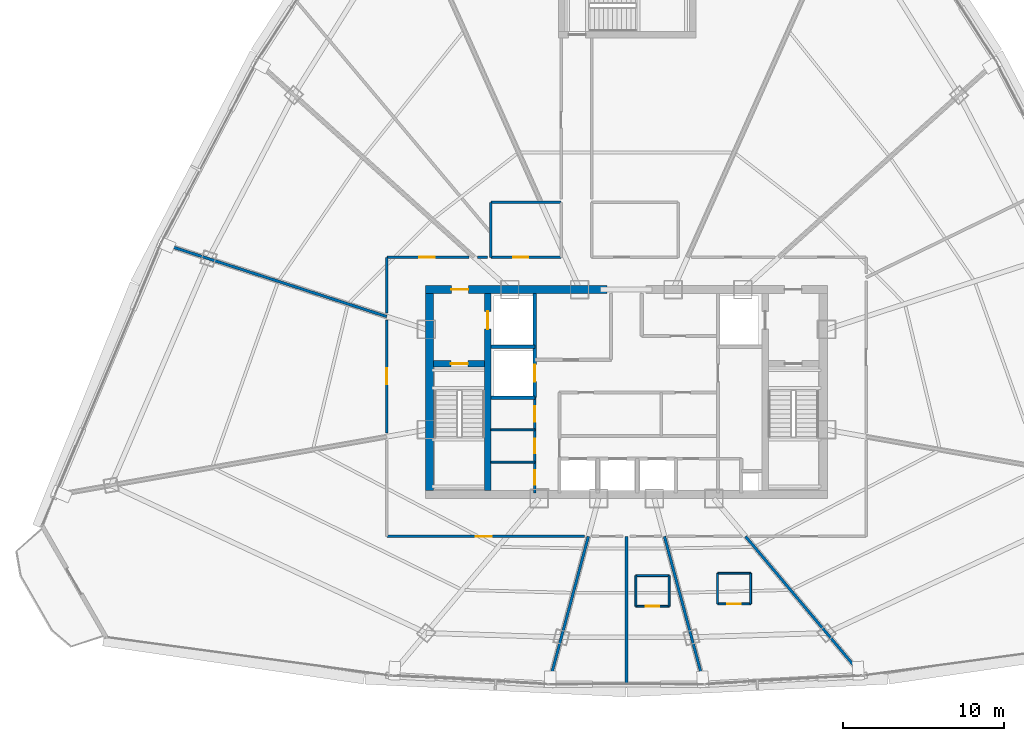
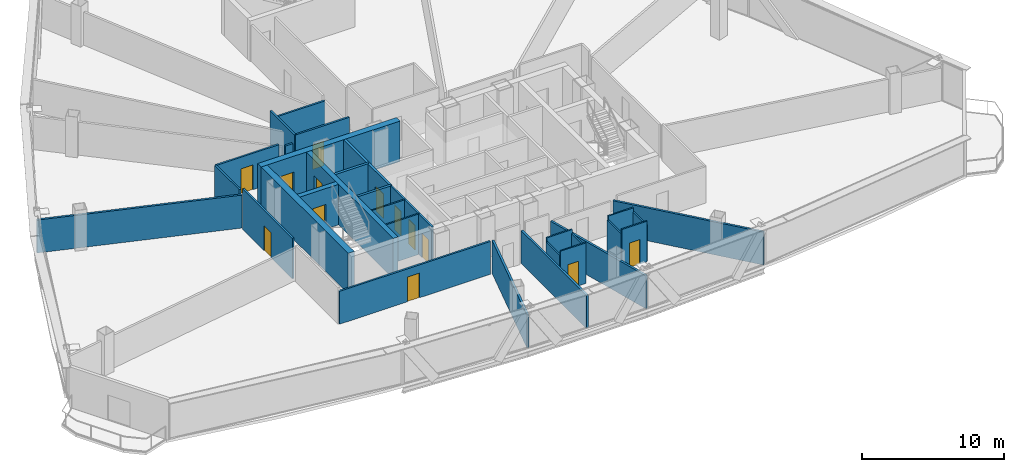
# One storey, part 28 of 35: 31 walls, 13 doors, 13 openings.
"""IFC4 building model written with IfcOpenShell, lengths in metres."""

from ifc_helpers import new_model, si_unit, direction, frame, frame_2d, origin, origin_with_axes, place, context, subcontext, project, spatial, rectangle, extrude, source, transform, mapped, material, layer, layer_set, type_object, element, fill, save


model = new_model("IFC4")

# Units and contexts
model_context = context("Model", 3, precision=1e-05, world=origin(), true_north=direction((0.0, 1.0)))
body_context = subcontext(model_context, "Body", "Model", "MODEL_VIEW")
ifc_project = project(units=[si_unit("LENGTHUNIT", "METRE"), si_unit("AREAUNIT", "SQUARE_METRE"), si_unit("VOLUMEUNIT", "CUBIC_METRE"), si_unit("PLANEANGLEUNIT", "RADIAN"), si_unit("MASSUNIT", "GRAM", prefix="KILO"), si_unit("THERMODYNAMICTEMPERATUREUNIT", "KELVIN"), si_unit("POWERUNIT", "WATT")], contexts=[model_context])

# Site, building, storey
site_placement = place(None, origin())
site = spatial("IfcSite", under=ifc_project, at=site_placement, CompositionType="ELEMENT")
building_placement = place(site_placement, origin())
building = spatial("IfcBuilding", under=site, at=building_placement, Name="Yunzhuo Pagoda Commons", CompositionType="ELEMENT")
storey_placement = place(building_placement, frame((0.0, 0.0, 237.070068359375)))
storey = spatial("IfcBuildingStorey", under=building, at=storey_placement, Name="L59", CompositionType="ELEMENT", Elevation=237.070068359375)

# Wall, opening, door
ifc_material_1 = material(Name="Concrete C50", Category="concrete")
ifc_layer_1 = layer(ifc_material_1, 0.5)
ifc_layer_set_1 = layer_set([ifc_layer_1], Name="Concrete C50")
wall_type_1 = type_object("IfcWallType", Name="W-C03 Upper Core Shear Wall 500", PredefinedType="SHEAR", material=ifc_layer_set_1)
wall_1_placement = place(storey_placement, frame((35.550048828125, 40.199951171875, 0.0), z_axis=(0.0, 0.0, 1.0), x_axis=(1.0, 0.0, 0.0)))
wall_1 = element("IfcWall", 1, at=wall_1_placement, inside=storey, type_object=wall_type_1, Name="L59 core shear wall NW", PredefinedType="SHEAR", context=body_context, shape_type="SweptSolid", body=[
    extrude(rectangle(XDim=11.25, YDim=0.5, at=frame_2d((5.625, 0.0))), origin(), (0.0, 0.0, 1.0), 3.469970703125),
])
opening_1_placement = place(wall_1_placement, frame((1.60009765625, 0.0, 0.0)))
opening_1 = element("IfcOpeningElement", 2, at=opening_1_placement, cuts=wall_1, Name="Opening D-02", PredefinedType="OPENING", context=body_context, shape_type="SweptSolid", body=[
    extrude(rectangle(XDim=1.050048828125, YDim=2.10009765625, at=frame_2d((0.52490234375, 1.050048828125))), frame((0.0, 0.260009765625, 0.0), z_axis=(0.0, -1.0, 0.0), x_axis=(1.0, 0.0, 0.0)), (0.0, 0.0, 1.0), 0.52001953125),
])
ifc_material_2 = material(Name="Galvanized fire-resisting metal leaf")
door_type_1 = type_object("IfcDoorType", Name="D-02 Firefighting Lobby & Refuge Fire Door 1050x2100", OperationType="NOTDEFINED", PredefinedType="DOOR", material=ifc_material_2)
shared_shape_1 = source(origin(), body_context, "Body", "SweptSolid", [
    extrude(rectangle(XDim=1.050048828125, YDim=2.10009765625, at=frame_2d((0.52490234375, 1.050048828125))), frame((0.0, 0.02490234375, 0.0), z_axis=(0.0, -1.0, 0.0), x_axis=(1.0, 0.0, 0.0)), (0.0, 0.0, 1.0), 0.050048828125),
])
door_1_placement = place(opening_1_placement, frame((1.050048828125, 0.0, 0.0), z_axis=(0.0, 0.0, 1.0), x_axis=(-1.0, 0.0, 0.0)))
door_1 = element("IfcDoor", 3, at=door_1_placement, inside=storey, type_object=door_type_1, Name="L59 Firefighting Lobby 1 fire door", OperationType="SINGLE_SWING_LEFT", OverallHeight=2.10009765625, OverallWidth=1.050048828125, PredefinedType="DOOR", context=body_context, shape_type="MappedRepresentation", body=[
    mapped(shared_shape_1, transform((0.0, 0.0, 0.0), scale=1.0)),
])
fill(opening_1, door_1)

# Wall
wall_2_placement = place(storey_placement, frame((35.800048828125, 27.75, 0.0), z_axis=(0.0, 0.0, 1.0), x_axis=(0.0, 1.0, 0.0)))
element("IfcWall", 4, at=wall_2_placement, inside=storey, type_object=wall_type_1, Name="L59 core shear wall W", PredefinedType="SHEAR", context=body_context, shape_type="SweptSolid", body=[
    extrude(rectangle(XDim=12.199951171875, YDim=0.5, at=frame_2d((6.10009765625, 0.0))), origin(), (0.0, 0.0, 1.0), 3.469970703125),
])

# Wall, openings, doors
ifc_material_3 = material(Name="Gypsum plasterboard on acoustic stud")
ifc_layer_2 = layer(ifc_material_3, 0.14990234375)
ifc_layer_set_2 = layer_set([ifc_layer_2], Name="Gypsum plasterboard on acoustic stud")
wall_type_2 = type_object("IfcWallType", Name="W-COR3 High-Zone Rated Corridor Wall 150", PredefinedType="PARTITIONING", material=ifc_layer_set_2)
wall_3_placement = place(storey_placement, frame((42.320068359375, 27.60009765625, 0.0), z_axis=(0.0, 0.0, 1.0), x_axis=(0.0, 1.0, 0.0)))
wall_3 = element("IfcWall", 5, at=wall_3_placement, inside=storey, type_object=wall_type_2, Name="L59 interior wall IW-L59-CSWE", PredefinedType="PARTITIONING", context=body_context, shape_type="SweptSolid", body=[
    extrude(rectangle(XDim=5.89990234375, YDim=0.14990234375, at=frame_2d((2.949951171875, 0.0))), origin(), (0.0, 0.0, 1.0), 3.469970703125),
])
opening_2_placement = place(wall_3_placement, frame((0.5, 0.0, 0.0)))
opening_2 = element("IfcOpeningElement", 6, at=opening_2_placement, cuts=wall_3, Name="Opening D-03", PredefinedType="OPENING", context=body_context, shape_type="SweptSolid", body=[
    extrude(rectangle(XDim=0.89990234375, YDim=2.10009765625, at=frame_2d((0.449951171875, 1.050048828125))), frame((0.0, 0.0849609375, 0.0), z_axis=(0.0, -1.0, 0.0), x_axis=(1.0, 0.0, 0.0)), (0.0, 0.0, 1.0), 0.169921875),
])
opening_3_placement = place(wall_3_placement, frame((2.449951171875, 0.0, 0.0)))
opening_3 = element("IfcOpeningElement", 7, at=opening_3_placement, cuts=wall_3, Name="Opening D-03", PredefinedType="OPENING", context=body_context, shape_type="SweptSolid", body=[
    extrude(rectangle(XDim=0.89990234375, YDim=2.10009765625, at=frame_2d((0.449951171875, 1.050048828125))), frame((0.0, 0.0849609375, 0.0), z_axis=(0.0, -1.0, 0.0), x_axis=(1.0, 0.0, 0.0)), (0.0, 0.0, 1.0), 0.169921875),
])
opening_4_placement = place(wall_3_placement, frame((4.419921875, 0.0, 0.0)))
opening_4 = element("IfcOpeningElement", 8, at=opening_4_placement, cuts=wall_3, Name="Opening D-11", PredefinedType="OPENING", context=body_context, shape_type="SweptSolid", body=[
    extrude(rectangle(XDim=0.93994140625, YDim=2.10009765625, at=frame_2d((0.469970703125, 1.050048828125))), frame((0.0, 0.0849609375, 0.0), z_axis=(0.0, -1.0, 0.0), x_axis=(1.0, 0.0, 0.0)), (0.0, 0.0, 1.0), 0.169921875),
])
door_type_2 = type_object("IfcDoorType", Name="D-03 Core Service Fire Door 900x2100", OperationType="NOTDEFINED", PredefinedType="DOOR", material=ifc_material_2)
shared_shape_2 = source(origin(), body_context, "Body", "SweptSolid", [
    extrude(rectangle(XDim=0.89990234375, YDim=2.10009765625, at=frame_2d((0.449951171875, 1.050048828125))), frame((0.0, 0.02490234375, 0.0), z_axis=(0.0, -1.0, 0.0), x_axis=(1.0, 0.0, 0.0)), (0.0, 0.0, 1.0), 0.050048828125),
])
door_2_placement = place(opening_2_placement, origin_with_axes())
door_2 = element("IfcDoor", 9, at=door_2_placement, inside=storey, type_object=door_type_2, Name="L59 switch door", OperationType="SINGLE_SWING_RIGHT", OverallHeight=2.10009765625, OverallWidth=0.89990234375, PredefinedType="DOOR", context=body_context, shape_type="MappedRepresentation", body=[
    mapped(shared_shape_2, transform((0.0, 0.0, 0.0), scale=1.0)),
])
fill(opening_2, door_2)
door_3_placement = place(opening_3_placement, origin_with_axes())
door_3 = element("IfcDoor", 10, at=door_3_placement, inside=storey, type_object=door_type_2, Name="L59 cleaner door", OperationType="SINGLE_SWING_RIGHT", OverallHeight=2.10009765625, OverallWidth=0.89990234375, PredefinedType="DOOR", context=body_context, shape_type="MappedRepresentation", body=[
    mapped(shared_shape_2, transform((0.0, 0.0, 0.0), scale=1.0)),
])
fill(opening_3, door_3)
door_type_3 = type_object("IfcDoorType", Name="D-11 Accessible Washroom Fire Door 940x2100", OperationType="NOTDEFINED", PredefinedType="DOOR", material=ifc_material_2)
shared_shape_3 = source(origin(), body_context, "Body", "SweptSolid", [
    extrude(rectangle(XDim=0.93994140625, YDim=2.10009765625, at=frame_2d((0.469970703125, 1.050048828125))), frame((0.0, 0.02490234375, 0.0), z_axis=(0.0, -1.0, 0.0), x_axis=(1.0, 0.0, 0.0)), (0.0, 0.0, 1.0), 0.050048828125),
])
door_4_placement = place(opening_4_placement, origin_with_axes())
door_4 = element("IfcDoor", 11, at=door_4_placement, inside=storey, type_object=door_type_3, Name="L59 core WC door", OperationType="SINGLE_SWING_LEFT", OverallHeight=2.10009765625, OverallWidth=0.93994140625, PredefinedType="DOOR", context=body_context, shape_type="MappedRepresentation", body=[
    mapped(shared_shape_3, transform((0.0, 0.0, 0.0), scale=1.0)),
])
fill(opening_4, door_4)

# Wall, opening, door
wall_4_placement = place(storey_placement, frame((39.60009765625, 42.199951171875, 0.0), z_axis=(0.0, 0.0, 1.0), x_axis=(1.0, 0.0, 0.0)))
wall_4 = element("IfcWall", 12, at=wall_4_placement, inside=storey, type_object=wall_type_2, Name="L59 interior wall IW-L59-TFWS", PredefinedType="PARTITIONING", context=body_context, shape_type="SweptSolid", body=[
    extrude(rectangle(XDim=4.349853515625, YDim=0.14990234375, at=frame_2d((2.1748046875, 0.0))), origin(), (0.0, 0.0, 1.0), 3.469970703125),
])
opening_5_placement = place(wall_4_placement, frame((1.39990234375, 0.0, 0.0)))
opening_5 = element("IfcOpeningElement", 13, at=opening_5_placement, cuts=wall_4, Name="Opening D-04", PredefinedType="OPENING", context=body_context, shape_type="SweptSolid", body=[
    extrude(rectangle(XDim=0.919921875, YDim=2.10009765625, at=frame_2d((0.4599609375, 1.050048828125))), frame((0.0, 0.0849609375, 0.0), z_axis=(0.0, -1.0, 0.0), x_axis=(1.0, 0.0, 0.0)), (0.0, 0.0, 1.0), 0.169921875),
])
ifc_material_4 = material(Name="Powder-coated aluminium and timber acoustic leaf", Category="wood")
door_type_4 = type_object("IfcDoorType", Name="D-04 Bedroom & Study Interior Door 920x2100", OperationType="NOTDEFINED", PredefinedType="DOOR", material=ifc_material_4)
shared_shape_4 = source(origin(), body_context, "Body", "SweptSolid", [
    extrude(rectangle(XDim=0.919921875, YDim=2.10009765625, at=frame_2d((0.4599609375, 1.050048828125))), frame((0.0, 0.02490234375, 0.0), z_axis=(0.0, -1.0, 0.0), x_axis=(1.0, 0.0, 0.0)), (0.0, 0.0, 1.0), 0.050048828125),
])
door_5_placement = place(opening_5_placement, frame((0.919921875, 0.0, 0.0), z_axis=(0.0, 0.0, 1.0), x_axis=(-1.0, 0.0, 0.0)))
door_5 = element("IfcDoor", 14, at=door_5_placement, inside=storey, type_object=door_type_4, Name="L59 laundry door", OperationType="SINGLE_SWING_LEFT", OverallHeight=2.10009765625, OverallWidth=0.919921875, PredefinedType="DOOR", context=body_context, shape_type="MappedRepresentation", body=[
    mapped(shared_shape_4, transform((0.0, 0.0, 0.0), scale=1.0)),
])
fill(opening_5, door_5)

# Walls
wall_5_placement = place(storey_placement, frame((39.60009765625, 45.60009765625, 0.0), z_axis=(0.0, 0.0, 1.0), x_axis=(1.0, 0.0, 0.0)))
element("IfcWall", 15, at=wall_5_placement, inside=storey, type_object=wall_type_2, Name="L59 interior wall IW-L59-TFWN", PredefinedType="PARTITIONING", context=body_context, shape_type="SweptSolid", body=[
    extrude(rectangle(XDim=4.349853515625, YDim=0.14990234375, at=frame_2d((2.1748046875, 0.0))), origin(), (0.0, 0.0, 1.0), 2.81982421875),
])
wall_6_placement = place(storey_placement, frame((39.60009765625, 42.199951171875, 0.0), z_axis=(0.0, 0.0, 1.0), x_axis=(0.0, 1.0, 0.0)))
element("IfcWall", 16, at=wall_6_placement, inside=storey, type_object=wall_type_2, Name="L59 interior wall IW-L59-TFWW", PredefinedType="PARTITIONING", context=body_context, shape_type="SweptSolid", body=[
    extrude(rectangle(XDim=3.400146484375, YDim=0.14990234375, at=frame_2d((1.7001953125, 0.0))), origin(), (0.0, 0.0, 1.0), 3.469970703125),
])

# Wall, opening, door
wall_7_placement = place(storey_placement, frame((33.14990234375, 31.30126953125, 0.0), z_axis=(0.0, 0.0, 1.0), x_axis=(0.0, 1.0, 0.0)))
wall_7 = element("IfcWall", 17, at=wall_7_placement, inside=storey, type_object=wall_type_2, Name="L59 interior wall IW-L59-CWL02", PredefinedType="PARTITIONING", context=body_context, shape_type="SweptSolid", body=[
    extrude(rectangle(XDim=7.004150390625, YDim=0.14990234375, at=frame_2d((3.501953125, 0.0))), origin(), (0.0, 0.0, 1.0), 3.469970703125),
])
opening_6_placement = place(wall_7_placement, frame((3.027099609375, 0.0, 0.0)))
opening_6 = element("IfcOpeningElement", 18, at=opening_6_placement, cuts=wall_7, Name="Opening D-08", PredefinedType="OPENING", context=body_context, shape_type="SweptSolid", body=[
    extrude(rectangle(XDim=0.97998046875, YDim=2.1201171875, at=frame_2d((0.489990234375, 1.06005859375))), frame((0.0, 0.0849609375, 0.0), z_axis=(0.0, -1.0, 0.0), x_axis=(1.0, 0.0, 0.0)), (0.0, 0.0, 1.0), 0.169921875),
])
door_type_5 = type_object("IfcDoorType", Name="D-08 High-Zone Suite Entrance Fire Door 980x2120", OperationType="NOTDEFINED", PredefinedType="DOOR", material=ifc_material_2)
shared_shape_5 = source(origin(), body_context, "Body", "SweptSolid", [
    extrude(rectangle(XDim=0.97998046875, YDim=2.1201171875, at=frame_2d((0.489990234375, 1.06005859375))), frame((0.0, 0.02490234375, 0.0), z_axis=(0.0, -1.0, 0.0), x_axis=(1.0, 0.0, 0.0)), (0.0, 0.0, 1.0), 0.050048828125),
])
door_6_placement = place(opening_6_placement, origin_with_axes())
door_6 = element("IfcDoor", 19, at=door_6_placement, inside=storey, type_object=door_type_5, Name="L59 unit 08 entrance door", OperationType="SINGLE_SWING_RIGHT", OverallHeight=2.1201171875, OverallWidth=0.97998046875, PredefinedType="DOOR", context=body_context, shape_type="MappedRepresentation", body=[
    mapped(shared_shape_5, transform((0.0, 0.0, 0.0), scale=1.0)),
])
fill(opening_6, door_6)

# Wall
wall_8_placement = place(storey_placement, frame((33.14990234375, 38.75634765625, 0.0), z_axis=(0.0, 0.0, 1.0), x_axis=(0.0, 1.0, 0.0)))
element("IfcWall", 20, at=wall_8_placement, inside=storey, type_object=wall_type_2, Name="L59 interior wall IW-L59-CWL03", PredefinedType="PARTITIONING", context=body_context, shape_type="SweptSolid", body=[
    extrude(rectangle(XDim=3.443603515625, YDim=0.14990234375, at=frame_2d((1.7216796875, 0.0))), origin(), (0.0, 0.0, 1.0), 3.119873046875),
])

# Wall, opening, door
wall_9_placement = place(storey_placement, frame((33.14990234375, 42.199951171875, 0.0), z_axis=(0.0, 0.0, 1.0), x_axis=(1.0, 0.0, 0.0)))
wall_9 = element("IfcWall", 21, at=wall_9_placement, inside=storey, type_object=wall_type_2, Name="L59 interior wall IW-L59-CWL04", PredefinedType="PARTITIONING", context=body_context, shape_type="SweptSolid", body=[
    extrude(rectangle(XDim=5.0810546875, YDim=0.14990234375, at=frame_2d((2.54052734375, 0.0))), origin(), (0.0, 0.0, 1.0), 3.119873046875),
])
opening_7_placement = place(wall_9_placement, frame((2.0, 0.0, 0.0)))
opening_7 = element("IfcOpeningElement", 22, at=opening_7_placement, cuts=wall_9, Name="Opening D-08", PredefinedType="OPENING", context=body_context, shape_type="SweptSolid", body=[
    extrude(rectangle(XDim=0.97998046875, YDim=2.1201171875, at=frame_2d((0.489990234375, 1.06005859375))), frame((0.0, 0.0849609375, 0.0), z_axis=(0.0, -1.0, 0.0), x_axis=(1.0, 0.0, 0.0)), (0.0, 0.0, 1.0), 0.169921875),
])
door_7_placement = place(opening_7_placement, origin_with_axes())
door_7 = element("IfcDoor", 23, at=door_7_placement, inside=storey, type_object=door_type_5, Name="L59 unit 07 entrance door", OperationType="SINGLE_SWING_LEFT", OverallHeight=2.1201171875, OverallWidth=0.97998046875, PredefinedType="DOOR", context=body_context, shape_type="MappedRepresentation", body=[
    mapped(shared_shape_5, transform((0.0, 0.0, 0.0), scale=1.0)),
])
fill(opening_7, door_7)

# Wall
wall_10_placement = place(storey_placement, frame((38.779541015625, 42.199951171875, 0.0), z_axis=(0.0, 0.0, 1.0), x_axis=(1.0, 0.0, 0.0)))
element("IfcWall", 24, at=wall_10_placement, inside=storey, type_object=wall_type_2, Name="L59 interior wall IW-L59-CWL05", PredefinedType="PARTITIONING", context=body_context, shape_type="SweptSolid", body=[
    extrude(rectangle(XDim=0.600341796875, YDim=0.14990234375, at=frame_2d((0.30029296875, 0.0))), origin(), (0.0, 0.0, 1.0), 2.81982421875),
])

# Wall, opening, door
wall_11_placement = place(storey_placement, frame((45.414306640625, 24.89990234375, 0.0), z_axis=(0.0, 0.0, 1.0), x_axis=(-1.0, 0.0, 0.0)))
wall_11 = element("IfcWall", 25, at=wall_11_placement, inside=storey, type_object=wall_type_2, Name="L59 interior wall IW-L59-CWL17", PredefinedType="PARTITIONING", context=body_context, shape_type="SweptSolid", body=[
    extrude(rectangle(XDim=12.264404296875, YDim=0.14990234375, at=frame_2d((6.13232421875, 0.0))), origin(), (0.0, 0.0, 1.0), 2.81982421875),
])
opening_8_placement = place(wall_11_placement, frame((5.773193359375, 0.0, 0.0)))
opening_8 = element("IfcOpeningElement", 26, at=opening_8_placement, cuts=wall_11, Name="Opening D-08", PredefinedType="OPENING", context=body_context, shape_type="SweptSolid", body=[
    extrude(rectangle(XDim=0.97998046875, YDim=2.1201171875, at=frame_2d((0.489990234375, 1.06005859375))), frame((0.0, 0.0849609375, 0.0), z_axis=(0.0, -1.0, 0.0), x_axis=(1.0, 0.0, 0.0)), (0.0, 0.0, 1.0), 0.169921875),
])
door_8_placement = place(opening_8_placement, origin_with_axes())
door_8 = element("IfcDoor", 27, at=door_8_placement, inside=storey, type_object=door_type_5, Name="L59 Resident Co-Living Commons Hall door", OperationType="SINGLE_SWING_LEFT", OverallHeight=2.1201171875, OverallWidth=0.97998046875, PredefinedType="DOOR", context=body_context, shape_type="MappedRepresentation", body=[
    mapped(shared_shape_5, transform((0.0, 0.0, 0.0), scale=1.0)),
])
fill(opening_8, door_8)

# Walls
ifc_layer_3 = layer(ifc_material_3, 0.1201171875)
ifc_layer_set_3 = layer_set([ifc_layer_3], Name="Gypsum plasterboard on acoustic stud")
wall_type_3 = type_object("IfcWallType", Name="W-PRT1 Suite & Bathroom Partition 120", PredefinedType="PARTITIONING", material=ifc_layer_set_3)
for number, where, z_axis, x_axis, name in (
    (28, (39.60009765625, 29.5, 0.0), (0.0, 0.0, 1.0), (1.0, 0.0, 0.0), "L59 interior wall IW-L59-CC1"),
    (29, (39.60009765625, 31.5, 0.0), (0.0, 0.0, 1.0), (1.0, 0.0, 0.0), "L59 interior wall IW-L59-CC2"),
):
    element("IfcWall", number, at=place(storey_placement, frame(where, z_axis=z_axis, x_axis=x_axis)), inside=storey, type_object=wall_type_3, Name=name, PredefinedType="PARTITIONING", context=body_context, shape_type="SweptSolid", body=[
        extrude(rectangle(XDim=2.719970703125, YDim=0.1201171875, at=frame_2d((1.35986328125, 0.0))), origin(), (0.0, 0.0, 1.0), 3.469970703125),
    ])

# Wall, opening, door
wall_12_placement = place(storey_placement, frame((48.591064453125, 20.574951171875, 0.0), z_axis=(0.0, 0.0, 1.0), x_axis=(1.0, 0.0, 0.0)))
wall_12 = element("IfcWall", 30, at=wall_12_placement, inside=storey, type_object=wall_type_3, Name="L59 interior wall IW-L59-B11S", PredefinedType="PARTITIONING", context=body_context, shape_type="SweptSolid", body=[
    extrude(rectangle(XDim=2.050048828125, YDim=0.1201171875, at=frame_2d((1.02490234375, 0.0))), origin(), (0.0, 0.0, 1.0), 3.469970703125),
])
opening_9_placement = place(wall_12_placement, frame((0.60009765625, 0.0, 0.0)))
opening_9 = element("IfcOpeningElement", 31, at=opening_9_placement, cuts=wall_12, Name="Opening D-05", PredefinedType="OPENING", context=body_context, shape_type="SweptSolid", body=[
    extrude(rectangle(XDim=0.85009765625, YDim=2.10009765625, at=frame_2d((0.425048828125, 1.050048828125))), frame((0.0, 0.070068359375, 0.0), z_axis=(0.0, -1.0, 0.0), x_axis=(1.0, 0.0, 0.0)), (0.0, 0.0, 1.0), 0.14013671875),
])
door_type_6 = type_object("IfcDoorType", Name="D-05 En-Suite Bathroom Door 850x2100", OperationType="NOTDEFINED", PredefinedType="DOOR", material=ifc_material_4)
shared_shape_6 = source(origin(), body_context, "Body", "SweptSolid", [
    extrude(rectangle(XDim=0.85009765625, YDim=2.10009765625, at=frame_2d((0.425048828125, 1.050048828125))), frame((0.0, 0.02490234375, 0.0), z_axis=(0.0, -1.0, 0.0), x_axis=(1.0, 0.0, 0.0)), (0.0, 0.0, 1.0), 0.050048828125),
])
door_9_placement = place(opening_9_placement, frame((0.85009765625, 0.0, 0.0), z_axis=(0.0, 0.0, 1.0), x_axis=(-1.0, 0.0, 0.0)))
door_9 = element("IfcDoor", 32, at=door_9_placement, inside=storey, type_object=door_type_6, Name="L59 unit 11 bathroom door", OperationType="SINGLE_SWING_LEFT", OverallHeight=2.10009765625, OverallWidth=0.85009765625, PredefinedType="DOOR", context=body_context, shape_type="MappedRepresentation", body=[
    mapped(shared_shape_6, transform((0.0, 0.0, 0.0), scale=1.0)),
])
fill(opening_9, door_9)

# Walls
wall_13_placement = place(storey_placement, frame((50.64111328125, 20.574951171875, 0.0), z_axis=(0.0, 0.0, 1.0), x_axis=(0.0, 1.0, 0.0)))
element("IfcWall", 33, at=wall_13_placement, inside=storey, type_object=wall_type_3, Name="L59 interior wall IW-L59-B11E", PredefinedType="PARTITIONING", context=body_context, shape_type="SweptSolid", body=[
    extrude(rectangle(XDim=1.900146484375, YDim=0.1201171875, at=frame_2d((0.9501953125, 0.0))), origin(), (0.0, 0.0, 1.0), 3.119873046875),
])
wall_14_placement = place(storey_placement, frame((50.64111328125, 22.47509765625, 0.0), z_axis=(0.0, 0.0, 1.0), x_axis=(-1.0, 0.0, 0.0)))
element("IfcWall", 34, at=wall_14_placement, inside=storey, type_object=wall_type_3, Name="L59 interior wall IW-L59-B11N", PredefinedType="PARTITIONING", context=body_context, shape_type="SweptSolid", body=[
    extrude(rectangle(XDim=2.050048828125, YDim=0.1201171875, at=frame_2d((1.02490234375, 0.0))), origin(), (0.0, 0.0, 1.0), 3.469970703125),
])
wall_15_placement = place(storey_placement, frame((48.591064453125, 22.47509765625, 0.0), z_axis=(0.0, 0.0, 1.0), x_axis=(0.0, -1.0, 0.0)))
element("IfcWall", 35, at=wall_15_placement, inside=storey, type_object=wall_type_3, Name="L59 interior wall IW-L59-B11W", PredefinedType="PARTITIONING", context=body_context, shape_type="SweptSolid", body=[
    extrude(rectangle(XDim=1.900146484375, YDim=0.1201171875, at=frame_2d((0.9501953125, 0.0))), origin(), (0.0, 0.0, 1.0), 3.119873046875),
])

# Wall, opening, door
wall_16_placement = place(storey_placement, frame((53.64501953125, 20.718017578125, 0.0), z_axis=(0.0, 0.0, 1.0), x_axis=(1.0, 0.0, 0.0)))
wall_16 = element("IfcWall", 36, at=wall_16_placement, inside=storey, type_object=wall_type_3, Name="L59 interior wall IW-L59-B12S", PredefinedType="PARTITIONING", context=body_context, shape_type="SweptSolid", body=[
    extrude(rectangle(XDim=2.050048828125, YDim=0.1201171875, at=frame_2d((1.02490234375, 0.0))), origin(), (0.0, 0.0, 1.0), 3.469970703125),
])
opening_10_placement = place(wall_16_placement, frame((0.60009765625, 0.0, 0.0)))
opening_10 = element("IfcOpeningElement", 37, at=opening_10_placement, cuts=wall_16, Name="Opening D-05", PredefinedType="OPENING", context=body_context, shape_type="SweptSolid", body=[
    extrude(rectangle(XDim=0.85009765625, YDim=2.10009765625, at=frame_2d((0.425048828125, 1.050048828125))), frame((0.0, 0.070068359375, 0.0), z_axis=(0.0, -1.0, 0.0), x_axis=(1.0, 0.0, 0.0)), (0.0, 0.0, 1.0), 0.14013671875),
])
door_10_placement = place(opening_10_placement, frame((0.85009765625, 0.0, 0.0), z_axis=(0.0, 0.0, 1.0), x_axis=(-1.0, 0.0, 0.0)))
door_10 = element("IfcDoor", 38, at=door_10_placement, inside=storey, type_object=door_type_6, Name="L59 unit 12 bathroom door", OperationType="SINGLE_SWING_RIGHT", OverallHeight=2.10009765625, OverallWidth=0.85009765625, PredefinedType="DOOR", context=body_context, shape_type="MappedRepresentation", body=[
    mapped(shared_shape_6, transform((0.0, 0.0, 0.0), scale=1.0)),
])
fill(opening_10, door_10)

# Walls
wall_17_placement = place(storey_placement, frame((55.695068359375, 20.718017578125, 0.0), z_axis=(0.0, 0.0, 1.0), x_axis=(0.0, 1.0, 0.0)))
element("IfcWall", 39, at=wall_17_placement, inside=storey, type_object=wall_type_3, Name="L59 interior wall IW-L59-B12E", PredefinedType="PARTITIONING", context=body_context, shape_type="SweptSolid", body=[
    extrude(rectangle(XDim=1.89990234375, YDim=0.1201171875, at=frame_2d((0.949951171875, 0.0))), origin(), (0.0, 0.0, 1.0), 3.119873046875),
])
wall_18_placement = place(storey_placement, frame((55.695068359375, 22.617919921875, 0.0), z_axis=(0.0, 0.0, 1.0), x_axis=(-1.0, 0.0, 0.0)))
element("IfcWall", 40, at=wall_18_placement, inside=storey, type_object=wall_type_3, Name="L59 interior wall IW-L59-B12N", PredefinedType="PARTITIONING", context=body_context, shape_type="SweptSolid", body=[
    extrude(rectangle(XDim=2.050048828125, YDim=0.1201171875, at=frame_2d((1.02490234375, 0.0))), origin(), (0.0, 0.0, 1.0), 3.469970703125),
])
wall_19_placement = place(storey_placement, frame((53.64501953125, 22.617919921875, 0.0), z_axis=(0.0, 0.0, 1.0), x_axis=(0.0, -1.0, 0.0)))
element("IfcWall", 41, at=wall_19_placement, inside=storey, type_object=wall_type_3, Name="L59 interior wall IW-L59-B12W", PredefinedType="PARTITIONING", context=body_context, shape_type="SweptSolid", body=[
    extrude(rectangle(XDim=1.89990234375, YDim=0.1201171875, at=frame_2d((0.949951171875, 0.0))), origin(), (0.0, 0.0, 1.0), 3.119873046875),
])
ifc_layer_4 = layer(ifc_material_3, 0.169921875)
ifc_layer_set_4 = layer_set([ifc_layer_4], Name="Gypsum plasterboard on acoustic stud")
wall_type_4 = type_object("IfcWallType", Name="W-PRT4 High-Zone Demising Wall 170", PredefinedType="PARTITIONING", material=ifc_layer_set_4)
wall_20_placement = place(storey_placement, frame((33.14990234375, 38.525146484375, 0.0), z_axis=(0.0, 0.0, 1.0), x_axis=(-0.951058452106, 0.309011036497, 0.0)))
element("IfcWall", 42, at=wall_20_placement, inside=storey, type_object=wall_type_4, Name="L59 interior wall IW-L59-RAD07", PredefinedType="PARTITIONING", context=body_context, shape_type="SweptSolid", body=[
    extrude(rectangle(XDim=14.71435546875, YDim=0.169921875, at=frame_2d((7.357177734375, 0.0))), origin(), (0.0, 0.0, 1.0), 2.81982421875),
])
wall_21_placement = place(storey_placement, frame((45.64208984375, 24.89990234375, 0.0), z_axis=(0.0, 0.0, 1.0), x_axis=(-0.258832957733, -0.965922098304, 0.0)))
element("IfcWall", 43, at=wall_21_placement, inside=storey, type_object=wall_type_4, Name="L59 interior wall IW-L59-RAD09", PredefinedType="PARTITIONING", context=body_context, shape_type="SweptSolid", body=[
    extrude(rectangle(XDim=9.489990234375, YDim=0.169921875, at=frame_2d((4.7451171875, 0.0))), origin(), (0.0, 0.0, 1.0), 2.81982421875),
])
wall_22_placement = place(storey_placement, frame((48.0, 24.89990234375, 0.0), z_axis=(0.0, 0.0, 1.0), x_axis=(0.0, -1.0, 0.0)))
element("IfcWall", 44, at=wall_22_placement, inside=storey, type_object=wall_type_4, Name="L59 interior wall IW-L59-RAD10", PredefinedType="PARTITIONING", context=body_context, shape_type="SweptSolid", body=[
    extrude(rectangle(XDim=9.16650390625, YDim=0.169921875, at=frame_2d((4.583251953125, 0.0))), origin(), (0.0, 0.0, 1.0), 2.81982421875),
])
wall_23_placement = place(storey_placement, frame((50.35791015625, 24.89990234375, 0.0), z_axis=(0.0, 0.0, 1.0), x_axis=(0.258832957733, -0.965922098304, 0.0)))
element("IfcWall", 45, at=wall_23_placement, inside=storey, type_object=wall_type_4, Name="L59 interior wall IW-L59-RAD11", PredefinedType="PARTITIONING", context=body_context, shape_type="SweptSolid", body=[
    extrude(rectangle(XDim=9.489990234375, YDim=0.169921875, at=frame_2d((4.7451171875, 0.0))), origin(), (0.0, 0.0, 1.0), 2.81982421875),
])
wall_24_placement = place(storey_placement, frame((55.384033203125, 24.89990234375, 0.0), z_axis=(0.0, 0.0, 1.0), x_axis=(0.642803558478, -0.766031060211, 0.0)))
element("IfcWall", 46, at=wall_24_placement, inside=storey, type_object=wall_type_4, Name="L59 interior wall IW-L59-RAD12", PredefinedType="PARTITIONING", context=body_context, shape_type="SweptSolid", body=[
    extrude(rectangle(XDim=11.26123046875, YDim=0.169921875, at=frame_2d((5.630615234375, 0.0))), origin(), (0.0, 0.0, 1.0), 2.81982421875),
])

# Wall, opening, door
ifc_material_5 = material(Name="Concrete C60", Category="concrete")
ifc_layer_5 = layer(ifc_material_5, 0.39990234375)
ifc_layer_set_5 = layer_set([ifc_layer_5], Name="Concrete C60")
wall_type_5 = type_object("IfcWallType", Name="W-S01 Internal Core Shear Web 400", PredefinedType="SHEAR", material=ifc_layer_set_5)
wall_25_placement = place(storey_placement, frame((39.39990234375, 27.75, 0.0), z_axis=(0.0, 0.0, 1.0), x_axis=(0.0, 1.0, 0.0)))
wall_25 = element("IfcWall", 47, at=wall_25_placement, inside=storey, type_object=wall_type_5, Name="L59 core shear wall WEBW", PredefinedType="SHEAR", context=body_context, shape_type="SweptSolid", body=[
    extrude(rectangle(XDim=12.199951171875, YDim=0.39990234375, at=frame_2d((6.10009765625, 0.0))), origin(), (0.0, 0.0, 1.0), 3.469970703125),
])
opening_11_placement = place(wall_25_placement, frame((10.0, 0.0, 0.0)))
opening_11 = element("IfcOpeningElement", 48, at=opening_11_placement, cuts=wall_25, Name="Opening LD-01", PredefinedType="OPENING", context=body_context, shape_type="SweptSolid", body=[
    extrude(rectangle(XDim=1.10009765625, YDim=2.10009765625, at=frame_2d((0.550048828125, 1.050048828125))), frame((0.0, 0.2099609375, 0.0), z_axis=(0.0, -1.0, 0.0), x_axis=(1.0, 0.0, 0.0)), (0.0, 0.0, 1.0), 0.419921875),
])
door_type_7 = type_object("IfcDoorType", Name="LD-01 Firefighting Lift Landing Door 1100x2100", OperationType="DOUBLE_DOOR_SLIDING", PredefinedType="DOOR", material=ifc_material_2)
shared_shape_7 = source(origin(), body_context, "Body", "SweptSolid", [
    extrude(rectangle(XDim=1.10009765625, YDim=2.10009765625, at=frame_2d((0.550048828125, 1.050048828125))), frame((0.0, 0.02490234375, 0.0), z_axis=(0.0, -1.0, 0.0), x_axis=(1.0, 0.0, 0.0)), (0.0, 0.0, 1.0), 0.050048828125),
])
door_11_placement = place(opening_11_placement, frame((1.10009765625, 0.0, 0.0), z_axis=(0.0, 0.0, 1.0), x_axis=(-1.0, 0.0, 0.0)))
door_11 = element("IfcDoor", 49, at=door_11_placement, inside=storey, type_object=door_type_7, Name="L59 Firefighting lift FL-1 landing door", OperationType="DOUBLE_DOOR_SLIDING", OverallHeight=2.10009765625, OverallWidth=1.10009765625, PredefinedType="DOOR", context=body_context, shape_type="MappedRepresentation", body=[
    mapped(shared_shape_7, transform((0.0, 0.0, 0.0), scale=1.0)),
])
fill(opening_11, door_11)

wall_26_placement = place(storey_placement, frame((36.050048828125, 35.60009765625, 0.0), z_axis=(0.0, 0.0, 1.0), x_axis=(1.0, 0.0, 0.0)))
wall_26 = element("IfcWall", 50, at=wall_26_placement, inside=storey, type_object=wall_type_5, Name="L59 core shear wall STW", PredefinedType="SHEAR", context=body_context, shape_type="SweptSolid", body=[
    extrude(rectangle(XDim=3.14990234375, YDim=0.39990234375, at=frame_2d((1.574951171875, 0.0))), origin(), (0.0, 0.0, 1.0), 3.469970703125),
])
opening_12_placement = place(wall_26_placement, frame((1.070068359375, 0.0, 0.0)))
opening_12 = element("IfcOpeningElement", 51, at=opening_12_placement, cuts=wall_26, Name="Opening D-01", PredefinedType="OPENING", context=body_context, shape_type="SweptSolid", body=[
    extrude(rectangle(XDim=1.050048828125, YDim=2.10009765625, at=frame_2d((0.52490234375, 1.050048828125))), frame((0.0, 0.2099609375, 0.0), z_axis=(0.0, -1.0, 0.0), x_axis=(1.0, 0.0, 0.0)), (0.0, 0.0, 1.0), 0.419921875),
])
door_type_8 = type_object("IfcDoorType", Name="D-01 Smokeproof Stair Fire Door 1050x2100", OperationType="NOTDEFINED", PredefinedType="DOOR", material=ifc_material_2)
door_12_placement = place(opening_12_placement, frame((1.050048828125, 0.0, 0.0), z_axis=(0.0, 0.0, 1.0), x_axis=(-1.0, 0.0, 0.0)))
door_12 = element("IfcDoor", 52, at=door_12_placement, inside=storey, type_object=door_type_8, Name="L59 Stair ST1 fire door", OperationType="SINGLE_SWING_LEFT", OverallHeight=2.10009765625, OverallWidth=1.050048828125, PredefinedType="DOOR", context=body_context, shape_type="MappedRepresentation", body=[
    mapped(shared_shape_1, transform((0.0, 0.0, 0.0), scale=1.0)),
])
fill(opening_12, door_12)

ifc_material_6 = material(Name="Concrete C40", Category="concrete")
ifc_layer_6 = layer(ifc_material_6, 0.199951171875)
ifc_layer_set_6 = layer_set([ifc_layer_6], Name="Concrete C40")
wall_type_6 = type_object("IfcWallType", Name="W-SHF Shaft & Stair Enclosure Wall 200", PredefinedType="SOLIDWALL", material=ifc_layer_set_6)
wall_27_placement = place(storey_placement, frame((42.320068359375, 33.5, 0.0), z_axis=(0.0, 0.0, 1.0), x_axis=(0.0, 1.0, 0.0)))
wall_27 = element("IfcWall", 53, at=wall_27_placement, inside=storey, type_object=wall_type_6, Name="L59 interior wall IW-L59-FL1E", PredefinedType="SOLIDWALL", context=body_context, shape_type="SweptSolid", body=[
    extrude(rectangle(XDim=6.449951171875, YDim=0.199951171875, at=frame_2d((3.22509765625, 0.0))), origin(), (0.0, 0.0, 1.0), 3.469970703125),
])
opening_13_placement = place(wall_27_placement, frame((1.0, 0.0, 0.0)))
opening_13 = element("IfcOpeningElement", 54, at=opening_13_placement, cuts=wall_27, Name="Opening LD-02", PredefinedType="OPENING", context=body_context, shape_type="SweptSolid", body=[
    extrude(rectangle(XDim=1.050048828125, YDim=2.10009765625, at=frame_2d((0.52490234375, 1.050048828125))), frame((0.0, 0.10986328125, 0.0), z_axis=(0.0, -1.0, 0.0), x_axis=(1.0, 0.0, 0.0)), (0.0, 0.0, 1.0), 0.219970703125),
])
door_type_9 = type_object("IfcDoorType", Name="LD-02 Passenger Lift Landing Door 1050x2100", OperationType="DOUBLE_DOOR_SLIDING", PredefinedType="DOOR", material=ifc_material_2)
door_13_placement = place(opening_13_placement, origin_with_axes())
door_13 = element("IfcDoor", 55, at=door_13_placement, inside=storey, type_object=door_type_9, Name="L59 Service lift SL-1 landing door", OperationType="DOUBLE_DOOR_SLIDING", OverallHeight=2.10009765625, OverallWidth=1.050048828125, PredefinedType="DOOR", context=body_context, shape_type="MappedRepresentation", body=[
    mapped(shared_shape_1, transform((0.0, 0.0, 0.0), scale=1.0)),
])
fill(opening_13, door_13)

# Walls
for number, where, z_axis, x_axis, name in (
    (56, (39.60009765625, 36.64990234375, 0.0), (0.0, 0.0, 1.0), (1.0, 0.0, 0.0), "L59 interior wall IW-L59-FL1S"),
    (57, (39.60009765625, 33.5, 0.0), (0.0, 0.0, 1.0), (1.0, 0.0, 0.0), "L59 interior wall IW-L59-SL1S"),
):
    element("IfcWall", number, at=place(storey_placement, frame(where, z_axis=z_axis, x_axis=x_axis)), inside=storey, type_object=wall_type_6, Name=name, PredefinedType="SOLIDWALL", context=body_context, shape_type="SweptSolid", body=[
        extrude(rectangle(XDim=2.719970703125, YDim=0.199951171875, at=frame_2d((1.35986328125, 0.0))), origin(), (0.0, 0.0, 1.0), 3.469970703125),
    ])

save(model, "model.ifc")
